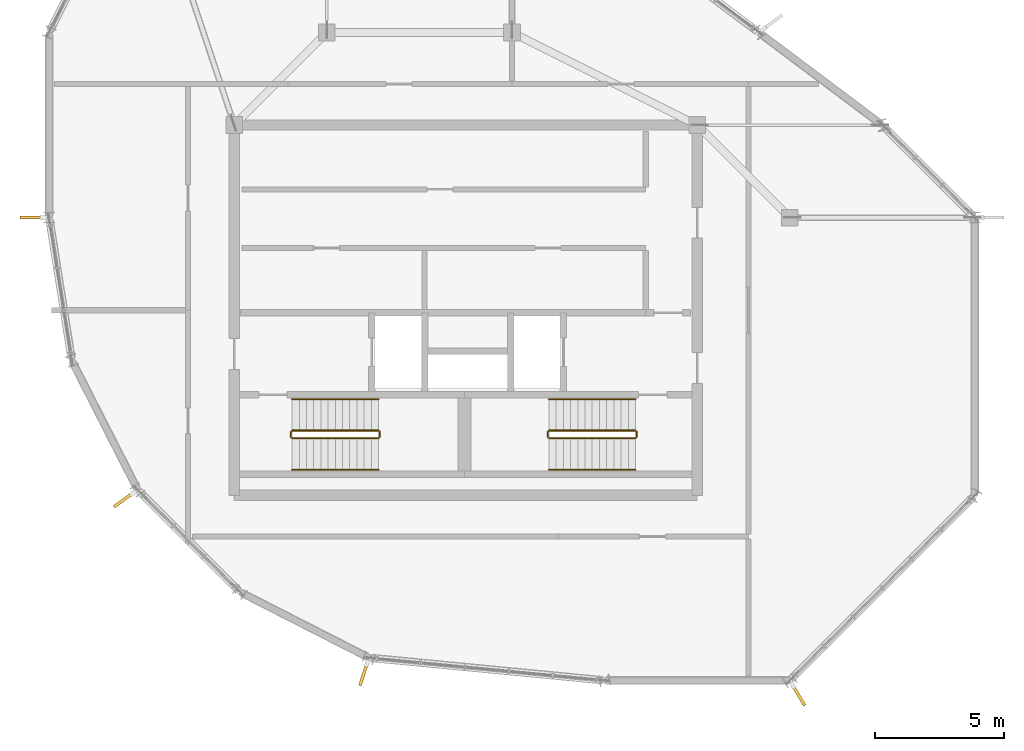
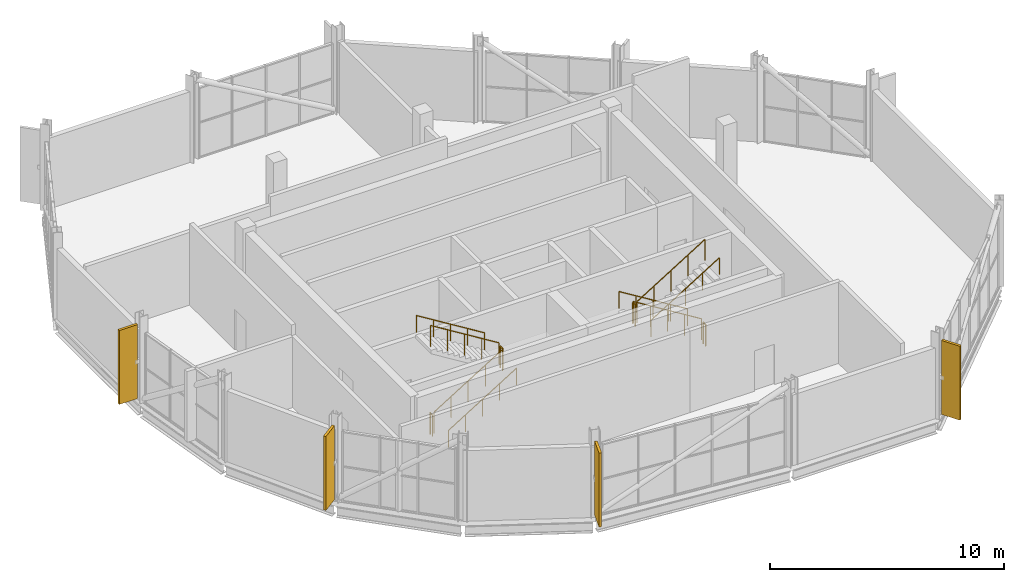
# One storey, part 21 of 22: 12 railings, 4 shading devices.
"""IFC4 building model written with IfcOpenShell, lengths in metres."""

from ifc_helpers import new_model, si_unit, direction, frame, origin, origin_2d, place, context, subcontext, project, spatial, rectangle, circle, extrude, material, type_object, element, save


model = new_model("IFC4")

# Units and contexts
model_context = context("Model", 3, precision=1e-05, world=origin(), true_north=direction((0.0, 1.0)))
body_context = subcontext(model_context, "Body", "Model", "MODEL_VIEW")
ifc_project = project(units=[si_unit("LENGTHUNIT", "METRE"), si_unit("AREAUNIT", "SQUARE_METRE"), si_unit("VOLUMEUNIT", "CUBIC_METRE"), si_unit("PLANEANGLEUNIT", "RADIAN"), si_unit("MASSUNIT", "GRAM", prefix="KILO")], contexts=[model_context])

# Site, building, storey
site_placement = place(None, origin())
site = spatial("IfcSite", under=ifc_project, at=site_placement, CompositionType="ELEMENT")
building_placement = place(site_placement, origin())
building = spatial("IfcBuilding", under=site, at=building_placement, Name="Solnavia Interchange Tower", CompositionType="ELEMENT")
storey_placement = place(building_placement, frame((0.0, 0.0, 317.699951171875)))
storey = spatial("IfcBuildingStorey", under=building, at=storey_placement, Name="C04", CompositionType="ELEMENT", Elevation=317.699951171875)

# Shading devices
ifc_material_1 = material(Name="Anodised Aluminium Fin", Category="aluminium")
shading_device_type = type_object("IfcShadingDeviceType", Name="CrownFin-Alu-900", PredefinedType="USERDEFINED", material=ifc_material_1)
for number, where, z_axis, x_axis, name in (
    (1, (6.52001953125, 21.60009765625, 0.199951171875), (0.0, 0.0, 1.0), (-1.0, 0.0, 0.0), "FIN-C04-F09 Crown ring vertical aerofoil fin"),
    (2, (10.087890625, 10.620361328125, 0.199951171875), (0.0, 0.0, 1.0), (-0.809016994375, -0.587785252292, 0.0), "FIN-C04-F11 Crown ring vertical aerofoil fin"),
    (3, (19.427978515625, 3.834228515625, 0.199951171875), (0.0, 0.0, 1.0), (-0.309016994375, -0.951056516295, 0.0), "FIN-C04-F13 Crown ring vertical aerofoil fin"),
    (4, (36.349853515625, 3.016845703125, 0.199951171875), (0.0, 0.0, 1.0), (0.514439533782, -0.857526656194, 0.0), "FIN-C04-F15 Crown ring vertical aerofoil fin"),
):
    element("IfcShadingDevice", number, at=place(storey_placement, frame(where, z_axis=z_axis, x_axis=x_axis)), inside=storey, type_object=shading_device_type, Name=name, ObjectType="FIN", PredefinedType="USERDEFINED", context=body_context, shape_type="SweptSolid", body=[
        extrude(rectangle(XDim=0.89990234375, YDim=0.1201171875, at=origin_2d()), origin(), (0.0, 0.0, 1.0), 3.85009765625),
    ])

# Railings
ifc_material_2 = material(Name="Painted Steel Balustrade", Category="steel")
railing_type_1 = type_object("IfcRailingType", Name="Railing-StairGuard-1100", PredefinedType="GUARDRAIL", material=ifc_material_2)
railing_1_placement = place(storey_placement, frame((16.64990234375, 13.02001953125, 0.173095703125)))
element("IfcRailing", 5, at=railing_1_placement, inside=storey, type_object=railing_type_1, Name="C04 ST-1 stair guard 1", PredefinedType="GUARDRAIL", context=body_context, shape_type="SweptSolid", body=[
    extrude(circle(Radius=0.02392578125, at=origin_2d()), frame((0.0, 0.0, 1.09619140625), z_axis=(0.850623216509, 0.0, 0.525775754039), x_axis=(0.0, 1.0, 0.0)), (0.0, 0.0, 1.0), 3.9501953125),
    extrude(circle(Radius=0.02099609375, at=origin_2d()), origin(), (0.0, 0.0, 1.0), 1.072021484375),
    extrude(circle(Radius=0.02099609375, at=origin_2d()), frame((0.840087890625, 0.0, 0.519287109375)), (0.0, 0.0, 1.0), 1.072021484375),
    extrude(circle(Radius=0.02099609375, at=origin_2d()), frame((1.68017578125, 0.0, 1.03857421875)), (0.0, 0.0, 1.0), 1.072021484375),
    extrude(circle(Radius=0.02099609375, at=origin_2d()), frame((2.52001953125, 0.0, 1.5576171875)), (0.0, 0.0, 1.0), 1.072021484375),
    extrude(circle(Radius=0.02099609375, at=origin_2d()), frame((3.360107421875, 0.0, 2.076904296875)), (0.0, 0.0, 1.0), 1.072021484375),
])
railing_2_placement = place(storey_placement, frame((20.06005859375, 13.070068359375, 2.25)))
element("IfcRailing", 6, at=railing_2_placement, inside=storey, type_object=railing_type_1, Name="C04 ST-1 stair guard 2", PredefinedType="GUARDRAIL", context=body_context, shape_type="SweptSolid", body=[
    extrude(circle(Radius=0.02392578125, at=origin_2d()), frame((0.0, 0.0, 1.09619140625), z_axis=(0.0, 1.0, 0.0), x_axis=(-1.0, 0.0, 0.0)), (0.0, 0.0, 1.0), 0.199951171875),
    extrude(circle(Radius=0.02099609375, at=origin_2d()), origin(), (0.0, 0.0, 1.0), 1.072021484375),
    extrude(circle(Radius=0.02099609375, at=origin_2d()), frame((0.0, 0.199951171875, 0.0)), (0.0, 0.0, 1.0), 1.072021484375),
])
railing_3_placement = place(storey_placement, frame((20.010009765625, 13.320068359375, 2.423095703125)))
element("IfcRailing", 7, at=railing_3_placement, inside=storey, type_object=railing_type_1, Name="C04 ST-1 stair guard 3", PredefinedType="GUARDRAIL", context=body_context, shape_type="SweptSolid", body=[
    extrude(circle(Radius=0.02392578125, at=origin_2d()), frame((0.0, 0.0, 1.09619140625), z_axis=(-0.850623216509, 0.0, 0.525775754039), x_axis=(0.0, -1.0, 0.0)), (0.0, 0.0, 1.0), 3.9501953125),
    extrude(circle(Radius=0.02099609375, at=origin_2d()), origin(), (0.0, 0.0, 1.0), 1.072021484375),
    extrude(circle(Radius=0.02099609375, at=origin_2d()), frame((-0.840087890625, 0.0, 0.519287109375)), (0.0, 0.0, 1.0), 1.072021484375),
    extrude(circle(Radius=0.02099609375, at=origin_2d()), frame((-1.68017578125, 0.0, 1.03857421875)), (0.0, 0.0, 1.0), 1.072021484375),
    extrude(circle(Radius=0.02099609375, at=origin_2d()), frame((-2.52001953125, 0.0, 1.5576171875)), (0.0, 0.0, 1.0), 1.072021484375),
    extrude(circle(Radius=0.02099609375, at=origin_2d()), frame((-3.360107421875, 0.0, 2.076904296875)), (0.0, 0.0, 1.0), 1.072021484375),
])
railing_4_placement = place(storey_placement, frame((16.60009765625, 13.070068359375, 0.0)))
element("IfcRailing", 8, at=railing_4_placement, inside=storey, type_object=railing_type_1, Name="C04 ST-1 stair guard 4", PredefinedType="GUARDRAIL", context=body_context, shape_type="SweptSolid", body=[
    extrude(circle(Radius=0.02392578125, at=origin_2d()), frame((0.0, 0.0, 1.09619140625), z_axis=(0.0, 1.0, 0.0), x_axis=(-1.0, 0.0, 0.0)), (0.0, 0.0, 1.0), 0.199951171875),
    extrude(circle(Radius=0.02099609375, at=origin_2d()), origin(), (0.0, 0.0, 1.0), 1.072021484375),
    extrude(circle(Radius=0.02099609375, at=origin_2d()), frame((0.0, 0.199951171875, 0.0)), (0.0, 0.0, 1.0), 1.072021484375),
])
railing_5_placement = place(storey_placement, frame((30.0, 13.320068359375, 0.173095703125)))
element("IfcRailing", 9, at=railing_5_placement, inside=storey, type_object=railing_type_1, Name="C04 ST-2 stair guard 1", PredefinedType="GUARDRAIL", context=body_context, shape_type="SweptSolid", body=[
    extrude(circle(Radius=0.02392578125, at=origin_2d()), frame((0.0, 0.0, 1.09619140625), z_axis=(-0.850623216509, 0.0, 0.525775754039), x_axis=(0.0, -1.0, 0.0)), (0.0, 0.0, 1.0), 3.9501953125),
    extrude(circle(Radius=0.02099609375, at=origin_2d()), origin(), (0.0, 0.0, 1.0), 1.072021484375),
    extrude(circle(Radius=0.02099609375, at=origin_2d()), frame((-0.840087890625, 0.0, 0.519287109375)), (0.0, 0.0, 1.0), 1.072021484375),
    extrude(circle(Radius=0.02099609375, at=origin_2d()), frame((-1.68017578125, 0.0, 1.03857421875)), (0.0, 0.0, 1.0), 1.072021484375),
    extrude(circle(Radius=0.02099609375, at=origin_2d()), frame((-2.52001953125, 0.0, 1.5576171875)), (0.0, 0.0, 1.0), 1.072021484375),
    extrude(circle(Radius=0.02099609375, at=origin_2d()), frame((-3.360107421875, 0.0, 2.076904296875)), (0.0, 0.0, 1.0), 1.072021484375),
])
railing_6_placement = place(storey_placement, frame((26.590087890625, 13.27001953125, 2.25)))
element("IfcRailing", 10, at=railing_6_placement, inside=storey, type_object=railing_type_1, Name="C04 ST-2 stair guard 2", PredefinedType="GUARDRAIL", context=body_context, shape_type="SweptSolid", body=[
    extrude(circle(Radius=0.02392578125, at=origin_2d()), frame((0.0, 0.0, 1.09619140625), z_axis=(0.0, -1.0, 0.0), x_axis=(1.0, 0.0, 0.0)), (0.0, 0.0, 1.0), 0.199951171875),
    extrude(circle(Radius=0.02099609375, at=origin_2d()), origin(), (0.0, 0.0, 1.0), 1.072021484375),
    extrude(circle(Radius=0.02099609375, at=origin_2d()), frame((0.0, -0.199951171875, 0.0)), (0.0, 0.0, 1.0), 1.072021484375),
])
railing_7_placement = place(storey_placement, frame((26.639892578125, 13.02001953125, 2.423095703125)))
element("IfcRailing", 11, at=railing_7_placement, inside=storey, type_object=railing_type_1, Name="C04 ST-2 stair guard 3", PredefinedType="GUARDRAIL", context=body_context, shape_type="SweptSolid", body=[
    extrude(circle(Radius=0.02392578125, at=origin_2d()), frame((0.0, 0.0, 1.09619140625), z_axis=(0.850623216509, 0.0, 0.525775754039), x_axis=(0.0, 1.0, 0.0)), (0.0, 0.0, 1.0), 3.9501953125),
    extrude(circle(Radius=0.02099609375, at=origin_2d()), origin(), (0.0, 0.0, 1.0), 1.072021484375),
    extrude(circle(Radius=0.02099609375, at=origin_2d()), frame((0.840087890625, 0.0, 0.519287109375)), (0.0, 0.0, 1.0), 1.072021484375),
    extrude(circle(Radius=0.02099609375, at=origin_2d()), frame((1.68017578125, 0.0, 1.03857421875)), (0.0, 0.0, 1.0), 1.072021484375),
    extrude(circle(Radius=0.02099609375, at=origin_2d()), frame((2.52001953125, 0.0, 1.5576171875)), (0.0, 0.0, 1.0), 1.072021484375),
    extrude(circle(Radius=0.02099609375, at=origin_2d()), frame((3.360107421875, 0.0, 2.076904296875)), (0.0, 0.0, 1.0), 1.072021484375),
])
railing_8_placement = place(storey_placement, frame((30.050048828125, 13.27001953125, 0.0)))
element("IfcRailing", 12, at=railing_8_placement, inside=storey, type_object=railing_type_1, Name="C04 ST-2 stair guard 4", PredefinedType="GUARDRAIL", context=body_context, shape_type="SweptSolid", body=[
    extrude(circle(Radius=0.02392578125, at=origin_2d()), frame((0.0, 0.0, 1.09619140625), z_axis=(0.0, -1.0, 0.0), x_axis=(1.0, 0.0, 0.0)), (0.0, 0.0, 1.0), 0.199951171875),
    extrude(circle(Radius=0.02099609375, at=origin_2d()), origin(), (0.0, 0.0, 1.0), 1.072021484375),
    extrude(circle(Radius=0.02099609375, at=origin_2d()), frame((0.0, -0.199951171875, 0.0)), (0.0, 0.0, 1.0), 1.072021484375),
])
ifc_material_3 = material(Name="Brushed Stainless Steel", Category="steel")
railing_type_2 = type_object("IfcRailingType", Name="Railing-StairHandrail-900", PredefinedType="HANDRAIL", material=ifc_material_3)
railing_9_placement = place(storey_placement, frame((16.64990234375, 11.800048828125, 0.173095703125)))
element("IfcRailing", 13, at=railing_9_placement, inside=storey, type_object=railing_type_2, Name="C04 ST-1 stair handrail 1", PredefinedType="HANDRAIL", context=body_context, shape_type="SweptSolid", body=[
    extrude(circle(Radius=0.02392578125, at=origin_2d()), frame((0.0, 0.0, 0.8759765625), z_axis=(0.850623216509, 0.0, 0.525775754039), x_axis=(0.0, 1.0, 0.0)), (0.0, 0.0, 1.0), 3.9501953125),
    extrude(circle(Radius=0.02099609375, at=origin_2d()), origin(), (0.0, 0.0, 1.0), 0.851806640625),
    extrude(circle(Radius=0.02099609375, at=origin_2d()), frame((0.840087890625, 0.0, 0.519287109375)), (0.0, 0.0, 1.0), 0.851806640625),
    extrude(circle(Radius=0.02099609375, at=origin_2d()), frame((1.68017578125, 0.0, 1.03857421875)), (0.0, 0.0, 1.0), 0.851806640625),
    extrude(circle(Radius=0.02099609375, at=origin_2d()), frame((2.52001953125, 0.0, 1.5576171875)), (0.0, 0.0, 1.0), 0.851806640625),
    extrude(circle(Radius=0.02099609375, at=origin_2d()), frame((3.360107421875, 0.0, 2.076904296875)), (0.0, 0.0, 1.0), 0.851806640625),
])
for number, where, name in (
    (14, (20.010009765625, 14.5400390625, 2.423095703125), "C04 ST-1 stair handrail 2"),
    (15, (30.0, 14.5400390625, 0.173095703125), "C04 ST-2 stair handrail 1"),
):
    element("IfcRailing", number, at=place(storey_placement, frame(where)), inside=storey, type_object=railing_type_2, Name=name, PredefinedType="HANDRAIL", context=body_context, shape_type="SweptSolid", body=[
        extrude(circle(Radius=0.02392578125, at=origin_2d()), frame((0.0, 0.0, 0.8759765625), z_axis=(-0.850623216509, 0.0, 0.525775754039), x_axis=(0.0, -1.0, 0.0)), (0.0, 0.0, 1.0), 3.9501953125),
        extrude(circle(Radius=0.02099609375, at=origin_2d()), origin(), (0.0, 0.0, 1.0), 0.851806640625),
        extrude(circle(Radius=0.02099609375, at=origin_2d()), frame((-0.840087890625, 0.0, 0.519287109375)), (0.0, 0.0, 1.0), 0.851806640625),
        extrude(circle(Radius=0.02099609375, at=origin_2d()), frame((-1.68017578125, 0.0, 1.03857421875)), (0.0, 0.0, 1.0), 0.851806640625),
        extrude(circle(Radius=0.02099609375, at=origin_2d()), frame((-2.52001953125, 0.0, 1.5576171875)), (0.0, 0.0, 1.0), 0.851806640625),
        extrude(circle(Radius=0.02099609375, at=origin_2d()), frame((-3.360107421875, 0.0, 2.076904296875)), (0.0, 0.0, 1.0), 0.851806640625),
    ])
railing_10_placement = place(storey_placement, frame((26.639892578125, 11.800048828125, 2.423095703125)))
element("IfcRailing", 16, at=railing_10_placement, inside=storey, type_object=railing_type_2, Name="C04 ST-2 stair handrail 2", PredefinedType="HANDRAIL", context=body_context, shape_type="SweptSolid", body=[
    extrude(circle(Radius=0.02392578125, at=origin_2d()), frame((0.0, 0.0, 0.8759765625), z_axis=(0.850623216509, 0.0, 0.525775754039), x_axis=(0.0, 1.0, 0.0)), (0.0, 0.0, 1.0), 3.9501953125),
    extrude(circle(Radius=0.02099609375, at=origin_2d()), origin(), (0.0, 0.0, 1.0), 0.851806640625),
    extrude(circle(Radius=0.02099609375, at=origin_2d()), frame((0.840087890625, 0.0, 0.519287109375)), (0.0, 0.0, 1.0), 0.851806640625),
    extrude(circle(Radius=0.02099609375, at=origin_2d()), frame((1.68017578125, 0.0, 1.03857421875)), (0.0, 0.0, 1.0), 0.851806640625),
    extrude(circle(Radius=0.02099609375, at=origin_2d()), frame((2.52001953125, 0.0, 1.5576171875)), (0.0, 0.0, 1.0), 0.851806640625),
    extrude(circle(Radius=0.02099609375, at=origin_2d()), frame((3.360107421875, 0.0, 2.076904296875)), (0.0, 0.0, 1.0), 0.851806640625),
])

save(model, "model.ifc")
